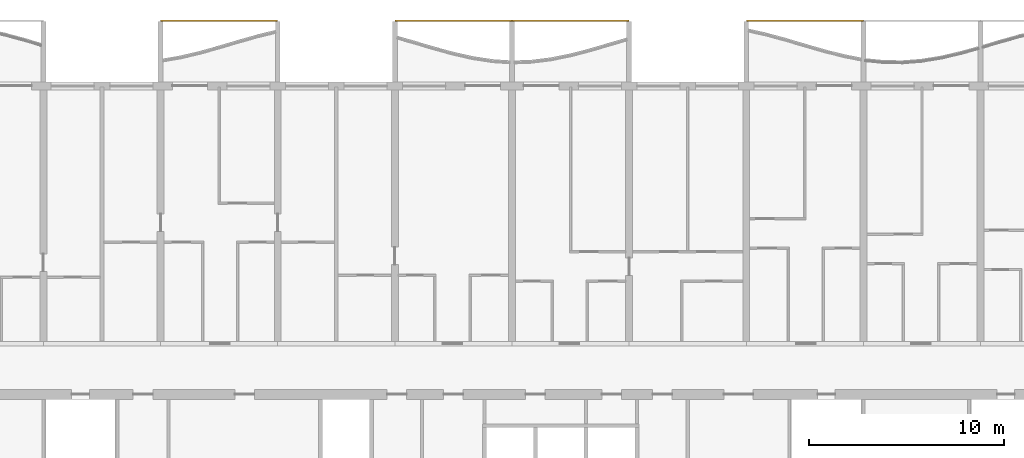
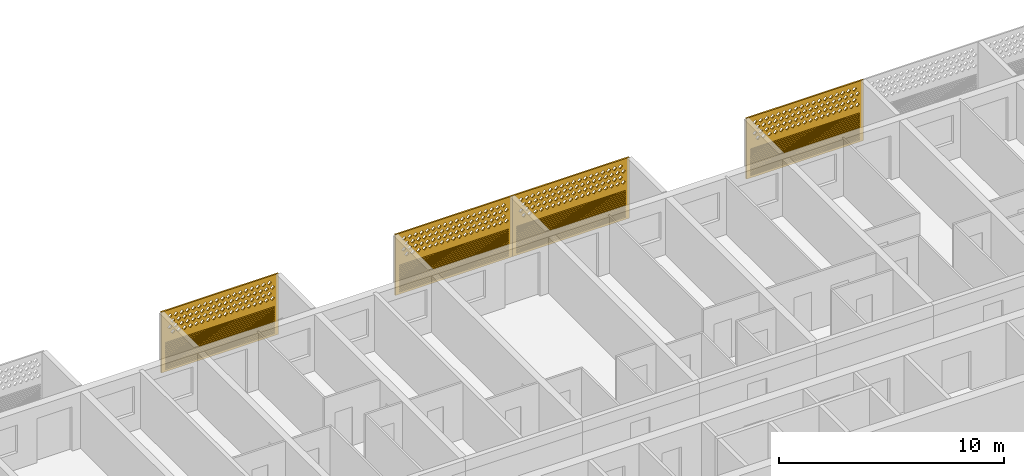
# One storey, part 23 of 26: 4 coverings.
"""IFC4 building model written with IfcOpenShell, lengths in metres."""

from ifc_helpers import new_model, si_unit, direction, frame, origin, place, context, subcontext, project, spatial, polyline, outline, extrude, source, transform, mapped, material, material_profile, profile_set, type_object, element, save


model = new_model("IFC4")

# Units and contexts
model_context = context("Model", 3, precision=1e-05, world=origin(), true_north=direction((0.0, 1.0)))
body_context = subcontext(model_context, "Body", "Model", "MODEL_VIEW")
ifc_project = project(units=[si_unit("LENGTHUNIT", "METRE"), si_unit("AREAUNIT", "SQUARE_METRE"), si_unit("VOLUMEUNIT", "CUBIC_METRE"), si_unit("PLANEANGLEUNIT", "RADIAN"), si_unit("MASSUNIT", "GRAM", prefix="KILO")], contexts=[model_context])

# Site, building, storey
site_placement = place(None, origin())
site = spatial("IfcSite", under=ifc_project, at=site_placement, CompositionType="ELEMENT")
building_placement = place(site_placement, origin())
building = spatial("IfcBuilding", under=site, at=building_placement, Name="Poui Terraces", CompositionType="ELEMENT")
storey_placement = place(building_placement, frame((0.0, 0.0, 96.0)))
storey = spatial("IfcBuildingStorey", under=building, at=storey_placement, Name="L26", CompositionType="ELEMENT", Elevation=96.0)

# Coverings
ifc_material = material(Name="Terracotta screen", Category="masonry")
ifc_material_profile = material_profile(ifc_material, outline(polyline([(-3.0, -1.64990234375), (3.0, -1.64990234375), (3.0, 1.64990234375), (-3.0, 1.64990234375), (-3.0, -1.64990234375)]), holes=[polyline([(-2.800048828125, 0.39990234375), (-2.68994140625, 0.2900390625), (-2.580078125, 0.39990234375), (-2.68994140625, 0.510009765625), (-2.800048828125, 0.39990234375)]), polyline([(-2.5, 0.39990234375), (-2.389892578125, 0.2900390625), (-2.280029296875, 0.39990234375), (-2.389892578125, 0.510009765625), (-2.5, 0.39990234375)]), polyline([(-2.199951171875, 0.39990234375), (-2.090087890625, 0.2900390625), (-1.97998046875, 0.39990234375), (-2.090087890625, 0.510009765625), (-2.199951171875, 0.39990234375)]), polyline([(-1.89990234375, 0.39990234375), (-1.7900390625, 0.2900390625), (-1.679931640625, 0.39990234375), (-1.7900390625, 0.510009765625), (-1.89990234375, 0.39990234375)]), polyline([(-1.60009765625, 0.39990234375), (-1.489990234375, 0.2900390625), (-1.3798828125, 0.39990234375), (-1.489990234375, 0.510009765625), (-1.60009765625, 0.39990234375)]), polyline([(-1.300048828125, 0.39990234375), (-1.18994140625, 0.2900390625), (-1.080078125, 0.39990234375), (-1.18994140625, 0.510009765625), (-1.300048828125, 0.39990234375)]), polyline([(-1.0, 0.39990234375), (-0.889892578125, 0.2900390625), (-0.780029296875, 0.39990234375), (-0.889892578125, 0.510009765625), (-1.0, 0.39990234375)]), polyline([(-0.699951171875, 0.39990234375), (-0.590087890625, 0.2900390625), (-0.47998046875, 0.39990234375), (-0.590087890625, 0.510009765625), (-0.699951171875, 0.39990234375)]), polyline([(-0.39990234375, 0.39990234375), (-0.2900390625, 0.2900390625), (-0.179931640625, 0.39990234375), (-0.2900390625, 0.510009765625), (-0.39990234375, 0.39990234375)]), polyline([(-0.10009765625, 0.39990234375), (0.010009765625, 0.2900390625), (0.1201171875, 0.39990234375), (0.010009765625, 0.510009765625), (-0.10009765625, 0.39990234375)]), polyline([(0.199951171875, 0.39990234375), (0.31005859375, 0.2900390625), (0.419921875, 0.39990234375), (0.31005859375, 0.510009765625), (0.199951171875, 0.39990234375)]), polyline([(0.5, 0.39990234375), (0.610107421875, 0.2900390625), (0.719970703125, 0.39990234375), (0.610107421875, 0.510009765625), (0.5, 0.39990234375)]), polyline([(0.800048828125, 0.39990234375), (0.909912109375, 0.2900390625), (1.02001953125, 0.39990234375), (0.909912109375, 0.510009765625), (0.800048828125, 0.39990234375)]), polyline([(1.10009765625, 0.39990234375), (1.2099609375, 0.2900390625), (1.320068359375, 0.39990234375), (1.2099609375, 0.510009765625), (1.10009765625, 0.39990234375)]), polyline([(1.39990234375, 0.39990234375), (1.510009765625, 0.2900390625), (1.6201171875, 0.39990234375), (1.510009765625, 0.510009765625), (1.39990234375, 0.39990234375)]), polyline([(1.699951171875, 0.39990234375), (1.81005859375, 0.2900390625), (1.919921875, 0.39990234375), (1.81005859375, 0.510009765625), (1.699951171875, 0.39990234375)]), polyline([(2.0, 0.39990234375), (2.110107421875, 0.2900390625), (2.219970703125, 0.39990234375), (2.110107421875, 0.510009765625), (2.0, 0.39990234375)]), polyline([(2.300048828125, 0.39990234375), (2.409912109375, 0.2900390625), (2.52001953125, 0.39990234375), (2.409912109375, 0.510009765625), (2.300048828125, 0.39990234375)]), polyline([(-2.64990234375, 0.699951171875), (-2.5400390625, 0.590087890625), (-2.429931640625, 0.699951171875), (-2.5400390625, 0.81005859375), (-2.64990234375, 0.699951171875)]), polyline([(-2.35009765625, 0.699951171875), (-2.239990234375, 0.590087890625), (-2.1298828125, 0.699951171875), (-2.239990234375, 0.81005859375), (-2.35009765625, 0.699951171875)]), polyline([(-2.050048828125, 0.699951171875), (-1.93994140625, 0.590087890625), (-1.830078125, 0.699951171875), (-1.93994140625, 0.81005859375), (-2.050048828125, 0.699951171875)]), polyline([(-1.75, 0.699951171875), (-1.639892578125, 0.590087890625), (-1.530029296875, 0.699951171875), (-1.639892578125, 0.81005859375), (-1.75, 0.699951171875)]), polyline([(-1.449951171875, 0.699951171875), (-1.340087890625, 0.590087890625), (-1.22998046875, 0.699951171875), (-1.340087890625, 0.81005859375), (-1.449951171875, 0.699951171875)]), polyline([(-1.14990234375, 0.699951171875), (-1.0400390625, 0.590087890625), (-0.929931640625, 0.699951171875), (-1.0400390625, 0.81005859375), (-1.14990234375, 0.699951171875)]), polyline([(-0.85009765625, 0.699951171875), (-0.739990234375, 0.590087890625), (-0.6298828125, 0.699951171875), (-0.739990234375, 0.81005859375), (-0.85009765625, 0.699951171875)]), polyline([(-0.550048828125, 0.699951171875), (-0.43994140625, 0.590087890625), (-0.330078125, 0.699951171875), (-0.43994140625, 0.81005859375), (-0.550048828125, 0.699951171875)]), polyline([(-0.25, 0.699951171875), (-0.139892578125, 0.590087890625), (-0.030029296875, 0.699951171875), (-0.139892578125, 0.81005859375), (-0.25, 0.699951171875)]), polyline([(0.050048828125, 0.699951171875), (0.159912109375, 0.590087890625), (0.27001953125, 0.699951171875), (0.159912109375, 0.81005859375), (0.050048828125, 0.699951171875)]), polyline([(0.35009765625, 0.699951171875), (0.4599609375, 0.590087890625), (0.570068359375, 0.699951171875), (0.4599609375, 0.81005859375), (0.35009765625, 0.699951171875)]), polyline([(0.64990234375, 0.699951171875), (0.760009765625, 0.590087890625), (0.8701171875, 0.699951171875), (0.760009765625, 0.81005859375), (0.64990234375, 0.699951171875)]), polyline([(0.949951171875, 0.699951171875), (1.06005859375, 0.590087890625), (1.169921875, 0.699951171875), (1.06005859375, 0.81005859375), (0.949951171875, 0.699951171875)]), polyline([(1.25, 0.699951171875), (1.360107421875, 0.590087890625), (1.469970703125, 0.699951171875), (1.360107421875, 0.81005859375), (1.25, 0.699951171875)]), polyline([(1.550048828125, 0.699951171875), (1.659912109375, 0.590087890625), (1.77001953125, 0.699951171875), (1.659912109375, 0.81005859375), (1.550048828125, 0.699951171875)]), polyline([(1.85009765625, 0.699951171875), (1.9599609375, 0.590087890625), (2.070068359375, 0.699951171875), (1.9599609375, 0.81005859375), (1.85009765625, 0.699951171875)]), polyline([(2.14990234375, 0.699951171875), (2.260009765625, 0.590087890625), (2.3701171875, 0.699951171875), (2.260009765625, 0.81005859375), (2.14990234375, 0.699951171875)]), polyline([(2.449951171875, 0.699951171875), (2.56005859375, 0.590087890625), (2.669921875, 0.699951171875), (2.56005859375, 0.81005859375), (2.449951171875, 0.699951171875)]), polyline([(-2.800048828125, 1.0), (-2.68994140625, 0.889892578125), (-2.580078125, 1.0), (-2.68994140625, 1.110107421875), (-2.800048828125, 1.0)]), polyline([(-2.5, 1.0), (-2.389892578125, 0.889892578125), (-2.280029296875, 1.0), (-2.389892578125, 1.110107421875), (-2.5, 1.0)]), polyline([(-2.199951171875, 1.0), (-2.090087890625, 0.889892578125), (-1.97998046875, 1.0), (-2.090087890625, 1.110107421875), (-2.199951171875, 1.0)]), polyline([(-1.89990234375, 1.0), (-1.7900390625, 0.889892578125), (-1.679931640625, 1.0), (-1.7900390625, 1.110107421875), (-1.89990234375, 1.0)]), polyline([(-1.60009765625, 1.0), (-1.489990234375, 0.889892578125), (-1.3798828125, 1.0), (-1.489990234375, 1.110107421875), (-1.60009765625, 1.0)]), polyline([(-1.300048828125, 1.0), (-1.18994140625, 0.889892578125), (-1.080078125, 1.0), (-1.18994140625, 1.110107421875), (-1.300048828125, 1.0)]), polyline([(-1.0, 1.0), (-0.889892578125, 0.889892578125), (-0.780029296875, 1.0), (-0.889892578125, 1.110107421875), (-1.0, 1.0)]), polyline([(-0.699951171875, 1.0), (-0.590087890625, 0.889892578125), (-0.47998046875, 1.0), (-0.590087890625, 1.110107421875), (-0.699951171875, 1.0)]), polyline([(-0.39990234375, 1.0), (-0.2900390625, 0.889892578125), (-0.179931640625, 1.0), (-0.2900390625, 1.110107421875), (-0.39990234375, 1.0)]), polyline([(-0.10009765625, 1.0), (0.010009765625, 0.889892578125), (0.1201171875, 1.0), (0.010009765625, 1.110107421875), (-0.10009765625, 1.0)]), polyline([(0.199951171875, 1.0), (0.31005859375, 0.889892578125), (0.419921875, 1.0), (0.31005859375, 1.110107421875), (0.199951171875, 1.0)]), polyline([(0.5, 1.0), (0.610107421875, 0.889892578125), (0.719970703125, 1.0), (0.610107421875, 1.110107421875), (0.5, 1.0)]), polyline([(0.800048828125, 1.0), (0.909912109375, 0.889892578125), (1.02001953125, 1.0), (0.909912109375, 1.110107421875), (0.800048828125, 1.0)]), polyline([(1.10009765625, 1.0), (1.2099609375, 0.889892578125), (1.320068359375, 1.0), (1.2099609375, 1.110107421875), (1.10009765625, 1.0)]), polyline([(1.39990234375, 1.0), (1.510009765625, 0.889892578125), (1.6201171875, 1.0), (1.510009765625, 1.110107421875), (1.39990234375, 1.0)]), polyline([(1.699951171875, 1.0), (1.81005859375, 0.889892578125), (1.919921875, 1.0), (1.81005859375, 1.110107421875), (1.699951171875, 1.0)]), polyline([(2.0, 1.0), (2.110107421875, 0.889892578125), (2.219970703125, 1.0), (2.110107421875, 1.110107421875), (2.0, 1.0)]), polyline([(2.300048828125, 1.0), (2.409912109375, 0.889892578125), (2.52001953125, 1.0), (2.409912109375, 1.110107421875), (2.300048828125, 1.0)]), polyline([(-2.64990234375, 1.300048828125), (-2.5400390625, 1.18994140625), (-2.429931640625, 1.300048828125), (-2.5400390625, 1.409912109375), (-2.64990234375, 1.300048828125)]), polyline([(-2.35009765625, 1.300048828125), (-2.239990234375, 1.18994140625), (-2.1298828125, 1.300048828125), (-2.239990234375, 1.409912109375), (-2.35009765625, 1.300048828125)]), polyline([(-2.050048828125, 1.300048828125), (-1.93994140625, 1.18994140625), (-1.830078125, 1.300048828125), (-1.93994140625, 1.409912109375), (-2.050048828125, 1.300048828125)]), polyline([(-1.75, 1.300048828125), (-1.639892578125, 1.18994140625), (-1.530029296875, 1.300048828125), (-1.639892578125, 1.409912109375), (-1.75, 1.300048828125)]), polyline([(-1.449951171875, 1.300048828125), (-1.340087890625, 1.18994140625), (-1.22998046875, 1.300048828125), (-1.340087890625, 1.409912109375), (-1.449951171875, 1.300048828125)]), polyline([(-1.14990234375, 1.300048828125), (-1.0400390625, 1.18994140625), (-0.929931640625, 1.300048828125), (-1.0400390625, 1.409912109375), (-1.14990234375, 1.300048828125)]), polyline([(-0.85009765625, 1.300048828125), (-0.739990234375, 1.18994140625), (-0.6298828125, 1.300048828125), (-0.739990234375, 1.409912109375), (-0.85009765625, 1.300048828125)]), polyline([(-0.550048828125, 1.300048828125), (-0.43994140625, 1.18994140625), (-0.330078125, 1.300048828125), (-0.43994140625, 1.409912109375), (-0.550048828125, 1.300048828125)]), polyline([(-0.25, 1.300048828125), (-0.139892578125, 1.18994140625), (-0.030029296875, 1.300048828125), (-0.139892578125, 1.409912109375), (-0.25, 1.300048828125)]), polyline([(0.050048828125, 1.300048828125), (0.159912109375, 1.18994140625), (0.27001953125, 1.300048828125), (0.159912109375, 1.409912109375), (0.050048828125, 1.300048828125)]), polyline([(0.35009765625, 1.300048828125), (0.4599609375, 1.18994140625), (0.570068359375, 1.300048828125), (0.4599609375, 1.409912109375), (0.35009765625, 1.300048828125)]), polyline([(0.64990234375, 1.300048828125), (0.760009765625, 1.18994140625), (0.8701171875, 1.300048828125), (0.760009765625, 1.409912109375), (0.64990234375, 1.300048828125)]), polyline([(0.949951171875, 1.300048828125), (1.06005859375, 1.18994140625), (1.169921875, 1.300048828125), (1.06005859375, 1.409912109375), (0.949951171875, 1.300048828125)]), polyline([(1.25, 1.300048828125), (1.360107421875, 1.18994140625), (1.469970703125, 1.300048828125), (1.360107421875, 1.409912109375), (1.25, 1.300048828125)]), polyline([(1.550048828125, 1.300048828125), (1.659912109375, 1.18994140625), (1.77001953125, 1.300048828125), (1.659912109375, 1.409912109375), (1.550048828125, 1.300048828125)]), polyline([(1.85009765625, 1.300048828125), (1.9599609375, 1.18994140625), (2.070068359375, 1.300048828125), (1.9599609375, 1.409912109375), (1.85009765625, 1.300048828125)]), polyline([(2.14990234375, 1.300048828125), (2.260009765625, 1.18994140625), (2.3701171875, 1.300048828125), (2.260009765625, 1.409912109375), (2.14990234375, 1.300048828125)]), polyline([(2.449951171875, 1.300048828125), (2.56005859375, 1.18994140625), (2.669921875, 1.300048828125), (2.56005859375, 1.409912109375), (2.449951171875, 1.300048828125)]), polyline([(-2.800048828125, -1.530029296875), (2.800048828125, -1.530029296875), (2.800048828125, -1.469970703125), (-2.800048828125, -1.469970703125), (-2.800048828125, -1.530029296875)]), polyline([(-2.800048828125, -1.429931640625), (2.800048828125, -1.429931640625), (2.800048828125, -1.3701171875), (-2.800048828125, -1.3701171875), (-2.800048828125, -1.429931640625)]), polyline([(-2.800048828125, -1.330078125), (2.800048828125, -1.330078125), (2.800048828125, -1.27001953125), (-2.800048828125, -1.27001953125), (-2.800048828125, -1.330078125)]), polyline([(-2.800048828125, -1.22998046875), (2.800048828125, -1.22998046875), (2.800048828125, -1.169921875), (-2.800048828125, -1.169921875), (-2.800048828125, -1.22998046875)]), polyline([(-2.800048828125, -1.1298828125), (2.800048828125, -1.1298828125), (2.800048828125, -1.070068359375), (-2.800048828125, -1.070068359375), (-2.800048828125, -1.1298828125)]), polyline([(-2.800048828125, -1.030029296875), (2.800048828125, -1.030029296875), (2.800048828125, -0.969970703125), (-2.800048828125, -0.969970703125), (-2.800048828125, -1.030029296875)]), polyline([(-2.800048828125, -0.929931640625), (2.800048828125, -0.929931640625), (2.800048828125, -0.8701171875), (-2.800048828125, -0.8701171875), (-2.800048828125, -0.929931640625)]), polyline([(-2.800048828125, -0.830078125), (2.800048828125, -0.830078125), (2.800048828125, -0.77001953125), (-2.800048828125, -0.77001953125), (-2.800048828125, -0.830078125)]), polyline([(-2.800048828125, -0.72998046875), (2.800048828125, -0.72998046875), (2.800048828125, -0.669921875), (-2.800048828125, -0.669921875), (-2.800048828125, -0.72998046875)]), polyline([(-2.800048828125, -0.6298828125), (2.800048828125, -0.6298828125), (2.800048828125, -0.570068359375), (-2.800048828125, -0.570068359375), (-2.800048828125, -0.6298828125)]), polyline([(-2.800048828125, -0.530029296875), (2.800048828125, -0.530029296875), (2.800048828125, -0.469970703125), (-2.800048828125, -0.469970703125), (-2.800048828125, -0.530029296875)]), polyline([(-2.800048828125, -0.429931640625), (2.800048828125, -0.429931640625), (2.800048828125, -0.3701171875), (-2.800048828125, -0.3701171875), (-2.800048828125, -0.429931640625)]), polyline([(-2.800048828125, -0.330078125), (2.800048828125, -0.330078125), (2.800048828125, -0.27001953125), (-2.800048828125, -0.27001953125), (-2.800048828125, -0.330078125)]), polyline([(-2.800048828125, -0.22998046875), (2.800048828125, -0.22998046875), (2.800048828125, -0.169921875), (-2.800048828125, -0.169921875), (-2.800048828125, -0.22998046875)]), polyline([(-2.800048828125, -0.1298828125), (2.800048828125, -0.1298828125), (2.800048828125, -0.070068359375), (-2.800048828125, -0.070068359375), (-2.800048828125, -0.1298828125)])]), Name="TERRACOTTA SCREEN AND JALOUSIE LOUVRE 6000X3300")
ifc_profile_set = profile_set([ifc_material_profile], Name="Terracotta screen")
covering_type = type_object("IfcCoveringType", Name="TERRACOTTA SCREEN AND JALOUSIE LOUVRE 6000X3300", PredefinedType="CLADDING", material=ifc_profile_set)
shared_shape = source(origin(), body_context, "Body", "SweptSolid", [
    extrude(outline(polyline([(-3.0, -1.64990234375), (3.0, -1.64990234375), (3.0, 1.64990234375), (-3.0, 1.64990234375), (-3.0, -1.64990234375)]), holes=[polyline([(-2.800048828125, 0.39990234375), (-2.68994140625, 0.2900390625), (-2.580078125, 0.39990234375), (-2.68994140625, 0.510009765625), (-2.800048828125, 0.39990234375)]), polyline([(-2.5, 0.39990234375), (-2.389892578125, 0.2900390625), (-2.280029296875, 0.39990234375), (-2.389892578125, 0.510009765625), (-2.5, 0.39990234375)]), polyline([(-2.199951171875, 0.39990234375), (-2.090087890625, 0.2900390625), (-1.97998046875, 0.39990234375), (-2.090087890625, 0.510009765625), (-2.199951171875, 0.39990234375)]), polyline([(-1.89990234375, 0.39990234375), (-1.7900390625, 0.2900390625), (-1.679931640625, 0.39990234375), (-1.7900390625, 0.510009765625), (-1.89990234375, 0.39990234375)]), polyline([(-1.60009765625, 0.39990234375), (-1.489990234375, 0.2900390625), (-1.3798828125, 0.39990234375), (-1.489990234375, 0.510009765625), (-1.60009765625, 0.39990234375)]), polyline([(-1.300048828125, 0.39990234375), (-1.18994140625, 0.2900390625), (-1.080078125, 0.39990234375), (-1.18994140625, 0.510009765625), (-1.300048828125, 0.39990234375)]), polyline([(-1.0, 0.39990234375), (-0.889892578125, 0.2900390625), (-0.780029296875, 0.39990234375), (-0.889892578125, 0.510009765625), (-1.0, 0.39990234375)]), polyline([(-0.699951171875, 0.39990234375), (-0.590087890625, 0.2900390625), (-0.47998046875, 0.39990234375), (-0.590087890625, 0.510009765625), (-0.699951171875, 0.39990234375)]), polyline([(-0.39990234375, 0.39990234375), (-0.2900390625, 0.2900390625), (-0.179931640625, 0.39990234375), (-0.2900390625, 0.510009765625), (-0.39990234375, 0.39990234375)]), polyline([(-0.10009765625, 0.39990234375), (0.010009765625, 0.2900390625), (0.1201171875, 0.39990234375), (0.010009765625, 0.510009765625), (-0.10009765625, 0.39990234375)]), polyline([(0.199951171875, 0.39990234375), (0.31005859375, 0.2900390625), (0.419921875, 0.39990234375), (0.31005859375, 0.510009765625), (0.199951171875, 0.39990234375)]), polyline([(0.5, 0.39990234375), (0.610107421875, 0.2900390625), (0.719970703125, 0.39990234375), (0.610107421875, 0.510009765625), (0.5, 0.39990234375)]), polyline([(0.800048828125, 0.39990234375), (0.909912109375, 0.2900390625), (1.02001953125, 0.39990234375), (0.909912109375, 0.510009765625), (0.800048828125, 0.39990234375)]), polyline([(1.10009765625, 0.39990234375), (1.2099609375, 0.2900390625), (1.320068359375, 0.39990234375), (1.2099609375, 0.510009765625), (1.10009765625, 0.39990234375)]), polyline([(1.39990234375, 0.39990234375), (1.510009765625, 0.2900390625), (1.6201171875, 0.39990234375), (1.510009765625, 0.510009765625), (1.39990234375, 0.39990234375)]), polyline([(1.699951171875, 0.39990234375), (1.81005859375, 0.2900390625), (1.919921875, 0.39990234375), (1.81005859375, 0.510009765625), (1.699951171875, 0.39990234375)]), polyline([(2.0, 0.39990234375), (2.110107421875, 0.2900390625), (2.219970703125, 0.39990234375), (2.110107421875, 0.510009765625), (2.0, 0.39990234375)]), polyline([(2.300048828125, 0.39990234375), (2.409912109375, 0.2900390625), (2.52001953125, 0.39990234375), (2.409912109375, 0.510009765625), (2.300048828125, 0.39990234375)]), polyline([(-2.64990234375, 0.699951171875), (-2.5400390625, 0.590087890625), (-2.429931640625, 0.699951171875), (-2.5400390625, 0.81005859375), (-2.64990234375, 0.699951171875)]), polyline([(-2.35009765625, 0.699951171875), (-2.239990234375, 0.590087890625), (-2.1298828125, 0.699951171875), (-2.239990234375, 0.81005859375), (-2.35009765625, 0.699951171875)]), polyline([(-2.050048828125, 0.699951171875), (-1.93994140625, 0.590087890625), (-1.830078125, 0.699951171875), (-1.93994140625, 0.81005859375), (-2.050048828125, 0.699951171875)]), polyline([(-1.75, 0.699951171875), (-1.639892578125, 0.590087890625), (-1.530029296875, 0.699951171875), (-1.639892578125, 0.81005859375), (-1.75, 0.699951171875)]), polyline([(-1.449951171875, 0.699951171875), (-1.340087890625, 0.590087890625), (-1.22998046875, 0.699951171875), (-1.340087890625, 0.81005859375), (-1.449951171875, 0.699951171875)]), polyline([(-1.14990234375, 0.699951171875), (-1.0400390625, 0.590087890625), (-0.929931640625, 0.699951171875), (-1.0400390625, 0.81005859375), (-1.14990234375, 0.699951171875)]), polyline([(-0.85009765625, 0.699951171875), (-0.739990234375, 0.590087890625), (-0.6298828125, 0.699951171875), (-0.739990234375, 0.81005859375), (-0.85009765625, 0.699951171875)]), polyline([(-0.550048828125, 0.699951171875), (-0.43994140625, 0.590087890625), (-0.330078125, 0.699951171875), (-0.43994140625, 0.81005859375), (-0.550048828125, 0.699951171875)]), polyline([(-0.25, 0.699951171875), (-0.139892578125, 0.590087890625), (-0.030029296875, 0.699951171875), (-0.139892578125, 0.81005859375), (-0.25, 0.699951171875)]), polyline([(0.050048828125, 0.699951171875), (0.159912109375, 0.590087890625), (0.27001953125, 0.699951171875), (0.159912109375, 0.81005859375), (0.050048828125, 0.699951171875)]), polyline([(0.35009765625, 0.699951171875), (0.4599609375, 0.590087890625), (0.570068359375, 0.699951171875), (0.4599609375, 0.81005859375), (0.35009765625, 0.699951171875)]), polyline([(0.64990234375, 0.699951171875), (0.760009765625, 0.590087890625), (0.8701171875, 0.699951171875), (0.760009765625, 0.81005859375), (0.64990234375, 0.699951171875)]), polyline([(0.949951171875, 0.699951171875), (1.06005859375, 0.590087890625), (1.169921875, 0.699951171875), (1.06005859375, 0.81005859375), (0.949951171875, 0.699951171875)]), polyline([(1.25, 0.699951171875), (1.360107421875, 0.590087890625), (1.469970703125, 0.699951171875), (1.360107421875, 0.81005859375), (1.25, 0.699951171875)]), polyline([(1.550048828125, 0.699951171875), (1.659912109375, 0.590087890625), (1.77001953125, 0.699951171875), (1.659912109375, 0.81005859375), (1.550048828125, 0.699951171875)]), polyline([(1.85009765625, 0.699951171875), (1.9599609375, 0.590087890625), (2.070068359375, 0.699951171875), (1.9599609375, 0.81005859375), (1.85009765625, 0.699951171875)]), polyline([(2.14990234375, 0.699951171875), (2.260009765625, 0.590087890625), (2.3701171875, 0.699951171875), (2.260009765625, 0.81005859375), (2.14990234375, 0.699951171875)]), polyline([(2.449951171875, 0.699951171875), (2.56005859375, 0.590087890625), (2.669921875, 0.699951171875), (2.56005859375, 0.81005859375), (2.449951171875, 0.699951171875)]), polyline([(-2.800048828125, 1.0), (-2.68994140625, 0.889892578125), (-2.580078125, 1.0), (-2.68994140625, 1.110107421875), (-2.800048828125, 1.0)]), polyline([(-2.5, 1.0), (-2.389892578125, 0.889892578125), (-2.280029296875, 1.0), (-2.389892578125, 1.110107421875), (-2.5, 1.0)]), polyline([(-2.199951171875, 1.0), (-2.090087890625, 0.889892578125), (-1.97998046875, 1.0), (-2.090087890625, 1.110107421875), (-2.199951171875, 1.0)]), polyline([(-1.89990234375, 1.0), (-1.7900390625, 0.889892578125), (-1.679931640625, 1.0), (-1.7900390625, 1.110107421875), (-1.89990234375, 1.0)]), polyline([(-1.60009765625, 1.0), (-1.489990234375, 0.889892578125), (-1.3798828125, 1.0), (-1.489990234375, 1.110107421875), (-1.60009765625, 1.0)]), polyline([(-1.300048828125, 1.0), (-1.18994140625, 0.889892578125), (-1.080078125, 1.0), (-1.18994140625, 1.110107421875), (-1.300048828125, 1.0)]), polyline([(-1.0, 1.0), (-0.889892578125, 0.889892578125), (-0.780029296875, 1.0), (-0.889892578125, 1.110107421875), (-1.0, 1.0)]), polyline([(-0.699951171875, 1.0), (-0.590087890625, 0.889892578125), (-0.47998046875, 1.0), (-0.590087890625, 1.110107421875), (-0.699951171875, 1.0)]), polyline([(-0.39990234375, 1.0), (-0.2900390625, 0.889892578125), (-0.179931640625, 1.0), (-0.2900390625, 1.110107421875), (-0.39990234375, 1.0)]), polyline([(-0.10009765625, 1.0), (0.010009765625, 0.889892578125), (0.1201171875, 1.0), (0.010009765625, 1.110107421875), (-0.10009765625, 1.0)]), polyline([(0.199951171875, 1.0), (0.31005859375, 0.889892578125), (0.419921875, 1.0), (0.31005859375, 1.110107421875), (0.199951171875, 1.0)]), polyline([(0.5, 1.0), (0.610107421875, 0.889892578125), (0.719970703125, 1.0), (0.610107421875, 1.110107421875), (0.5, 1.0)]), polyline([(0.800048828125, 1.0), (0.909912109375, 0.889892578125), (1.02001953125, 1.0), (0.909912109375, 1.110107421875), (0.800048828125, 1.0)]), polyline([(1.10009765625, 1.0), (1.2099609375, 0.889892578125), (1.320068359375, 1.0), (1.2099609375, 1.110107421875), (1.10009765625, 1.0)]), polyline([(1.39990234375, 1.0), (1.510009765625, 0.889892578125), (1.6201171875, 1.0), (1.510009765625, 1.110107421875), (1.39990234375, 1.0)]), polyline([(1.699951171875, 1.0), (1.81005859375, 0.889892578125), (1.919921875, 1.0), (1.81005859375, 1.110107421875), (1.699951171875, 1.0)]), polyline([(2.0, 1.0), (2.110107421875, 0.889892578125), (2.219970703125, 1.0), (2.110107421875, 1.110107421875), (2.0, 1.0)]), polyline([(2.300048828125, 1.0), (2.409912109375, 0.889892578125), (2.52001953125, 1.0), (2.409912109375, 1.110107421875), (2.300048828125, 1.0)]), polyline([(-2.64990234375, 1.300048828125), (-2.5400390625, 1.18994140625), (-2.429931640625, 1.300048828125), (-2.5400390625, 1.409912109375), (-2.64990234375, 1.300048828125)]), polyline([(-2.35009765625, 1.300048828125), (-2.239990234375, 1.18994140625), (-2.1298828125, 1.300048828125), (-2.239990234375, 1.409912109375), (-2.35009765625, 1.300048828125)]), polyline([(-2.050048828125, 1.300048828125), (-1.93994140625, 1.18994140625), (-1.830078125, 1.300048828125), (-1.93994140625, 1.409912109375), (-2.050048828125, 1.300048828125)]), polyline([(-1.75, 1.300048828125), (-1.639892578125, 1.18994140625), (-1.530029296875, 1.300048828125), (-1.639892578125, 1.409912109375), (-1.75, 1.300048828125)]), polyline([(-1.449951171875, 1.300048828125), (-1.340087890625, 1.18994140625), (-1.22998046875, 1.300048828125), (-1.340087890625, 1.409912109375), (-1.449951171875, 1.300048828125)]), polyline([(-1.14990234375, 1.300048828125), (-1.0400390625, 1.18994140625), (-0.929931640625, 1.300048828125), (-1.0400390625, 1.409912109375), (-1.14990234375, 1.300048828125)]), polyline([(-0.85009765625, 1.300048828125), (-0.739990234375, 1.18994140625), (-0.6298828125, 1.300048828125), (-0.739990234375, 1.409912109375), (-0.85009765625, 1.300048828125)]), polyline([(-0.550048828125, 1.300048828125), (-0.43994140625, 1.18994140625), (-0.330078125, 1.300048828125), (-0.43994140625, 1.409912109375), (-0.550048828125, 1.300048828125)]), polyline([(-0.25, 1.300048828125), (-0.139892578125, 1.18994140625), (-0.030029296875, 1.300048828125), (-0.139892578125, 1.409912109375), (-0.25, 1.300048828125)]), polyline([(0.050048828125, 1.300048828125), (0.159912109375, 1.18994140625), (0.27001953125, 1.300048828125), (0.159912109375, 1.409912109375), (0.050048828125, 1.300048828125)]), polyline([(0.35009765625, 1.300048828125), (0.4599609375, 1.18994140625), (0.570068359375, 1.300048828125), (0.4599609375, 1.409912109375), (0.35009765625, 1.300048828125)]), polyline([(0.64990234375, 1.300048828125), (0.760009765625, 1.18994140625), (0.8701171875, 1.300048828125), (0.760009765625, 1.409912109375), (0.64990234375, 1.300048828125)]), polyline([(0.949951171875, 1.300048828125), (1.06005859375, 1.18994140625), (1.169921875, 1.300048828125), (1.06005859375, 1.409912109375), (0.949951171875, 1.300048828125)]), polyline([(1.25, 1.300048828125), (1.360107421875, 1.18994140625), (1.469970703125, 1.300048828125), (1.360107421875, 1.409912109375), (1.25, 1.300048828125)]), polyline([(1.550048828125, 1.300048828125), (1.659912109375, 1.18994140625), (1.77001953125, 1.300048828125), (1.659912109375, 1.409912109375), (1.550048828125, 1.300048828125)]), polyline([(1.85009765625, 1.300048828125), (1.9599609375, 1.18994140625), (2.070068359375, 1.300048828125), (1.9599609375, 1.409912109375), (1.85009765625, 1.300048828125)]), polyline([(2.14990234375, 1.300048828125), (2.260009765625, 1.18994140625), (2.3701171875, 1.300048828125), (2.260009765625, 1.409912109375), (2.14990234375, 1.300048828125)]), polyline([(2.449951171875, 1.300048828125), (2.56005859375, 1.18994140625), (2.669921875, 1.300048828125), (2.56005859375, 1.409912109375), (2.449951171875, 1.300048828125)]), polyline([(-2.800048828125, -1.530029296875), (2.800048828125, -1.530029296875), (2.800048828125, -1.469970703125), (-2.800048828125, -1.469970703125), (-2.800048828125, -1.530029296875)]), polyline([(-2.800048828125, -1.429931640625), (2.800048828125, -1.429931640625), (2.800048828125, -1.3701171875), (-2.800048828125, -1.3701171875), (-2.800048828125, -1.429931640625)]), polyline([(-2.800048828125, -1.330078125), (2.800048828125, -1.330078125), (2.800048828125, -1.27001953125), (-2.800048828125, -1.27001953125), (-2.800048828125, -1.330078125)]), polyline([(-2.800048828125, -1.22998046875), (2.800048828125, -1.22998046875), (2.800048828125, -1.169921875), (-2.800048828125, -1.169921875), (-2.800048828125, -1.22998046875)]), polyline([(-2.800048828125, -1.1298828125), (2.800048828125, -1.1298828125), (2.800048828125, -1.070068359375), (-2.800048828125, -1.070068359375), (-2.800048828125, -1.1298828125)]), polyline([(-2.800048828125, -1.030029296875), (2.800048828125, -1.030029296875), (2.800048828125, -0.969970703125), (-2.800048828125, -0.969970703125), (-2.800048828125, -1.030029296875)]), polyline([(-2.800048828125, -0.929931640625), (2.800048828125, -0.929931640625), (2.800048828125, -0.8701171875), (-2.800048828125, -0.8701171875), (-2.800048828125, -0.929931640625)]), polyline([(-2.800048828125, -0.830078125), (2.800048828125, -0.830078125), (2.800048828125, -0.77001953125), (-2.800048828125, -0.77001953125), (-2.800048828125, -0.830078125)]), polyline([(-2.800048828125, -0.72998046875), (2.800048828125, -0.72998046875), (2.800048828125, -0.669921875), (-2.800048828125, -0.669921875), (-2.800048828125, -0.72998046875)]), polyline([(-2.800048828125, -0.6298828125), (2.800048828125, -0.6298828125), (2.800048828125, -0.570068359375), (-2.800048828125, -0.570068359375), (-2.800048828125, -0.6298828125)]), polyline([(-2.800048828125, -0.530029296875), (2.800048828125, -0.530029296875), (2.800048828125, -0.469970703125), (-2.800048828125, -0.469970703125), (-2.800048828125, -0.530029296875)]), polyline([(-2.800048828125, -0.429931640625), (2.800048828125, -0.429931640625), (2.800048828125, -0.3701171875), (-2.800048828125, -0.3701171875), (-2.800048828125, -0.429931640625)]), polyline([(-2.800048828125, -0.330078125), (2.800048828125, -0.330078125), (2.800048828125, -0.27001953125), (-2.800048828125, -0.27001953125), (-2.800048828125, -0.330078125)]), polyline([(-2.800048828125, -0.22998046875), (2.800048828125, -0.22998046875), (2.800048828125, -0.169921875), (-2.800048828125, -0.169921875), (-2.800048828125, -0.22998046875)]), polyline([(-2.800048828125, -0.1298828125), (2.800048828125, -0.1298828125), (2.800048828125, -0.070068359375), (-2.800048828125, -0.070068359375), (-2.800048828125, -0.1298828125)])]), origin(), (0.0, 0.0, 1.0), 0.080078125),
])
for number, where, z_axis, x_axis, name in (
    (1, (39.0, 46.89990234375, 1.449951171875), (0.0, 1.0, 0.0), (-1.0, 0.0, 0.0), "SOLAR SCREEN AND JALOUSIE LOUVRE"),
    (2, (51.0, 46.89990234375, 1.449951171875), (0.0, 1.0, 0.0), (-1.0, 0.0, 0.0), "SOLAR SCREEN AND JALOUSIE LOUVRE"),
    (3, (57.0, 46.89990234375, 1.449951171875), (0.0, 1.0, 0.0), (-1.0, 0.0, 0.0), "SOLAR SCREEN AND JALOUSIE LOUVRE"),
    (4, (69.0, 46.89990234375, 1.449951171875), (0.0, 1.0, 0.0), (-1.0, 0.0, 0.0), "SOLAR SCREEN AND JALOUSIE LOUVRE"),
):
    element("IfcCovering", number, at=place(storey_placement, frame(where, z_axis=z_axis, x_axis=x_axis)), inside=storey, type_object=covering_type, Name=name, PredefinedType="CLADDING", context=body_context, shape_type="MappedRepresentation", body=[
        mapped(shared_shape, transform((0.0, 0.0, 0.0))),
    ])

save(model, "model.ifc")
